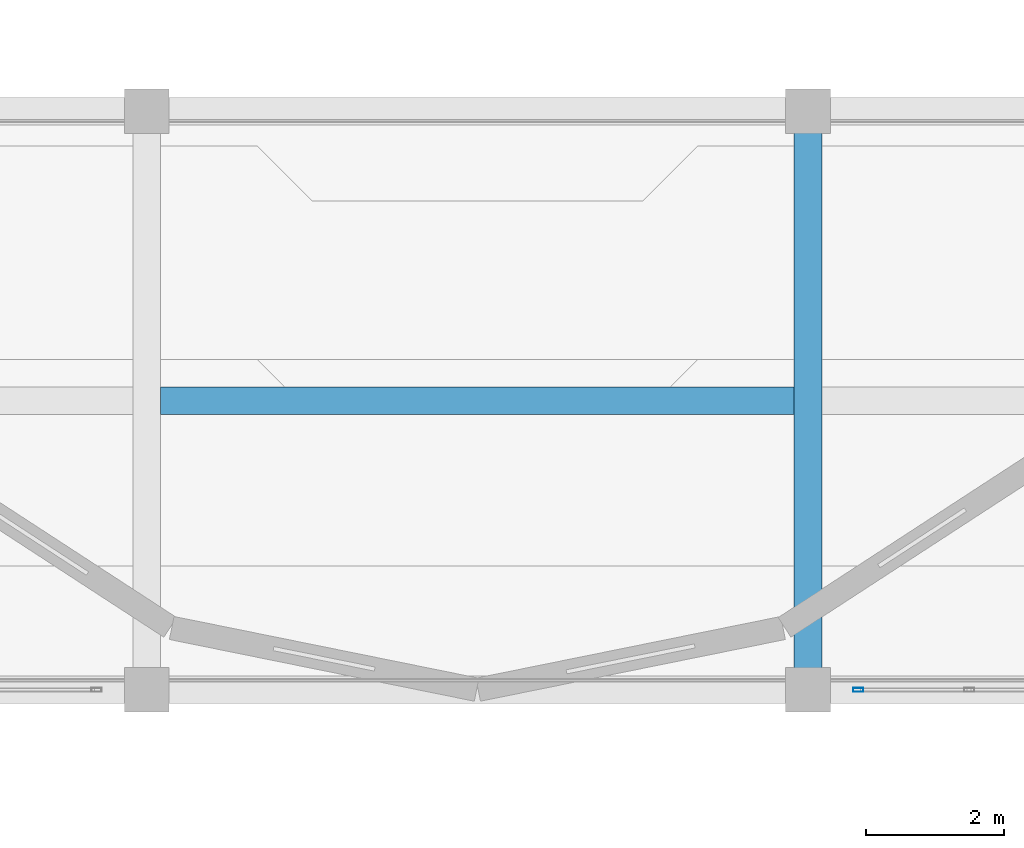
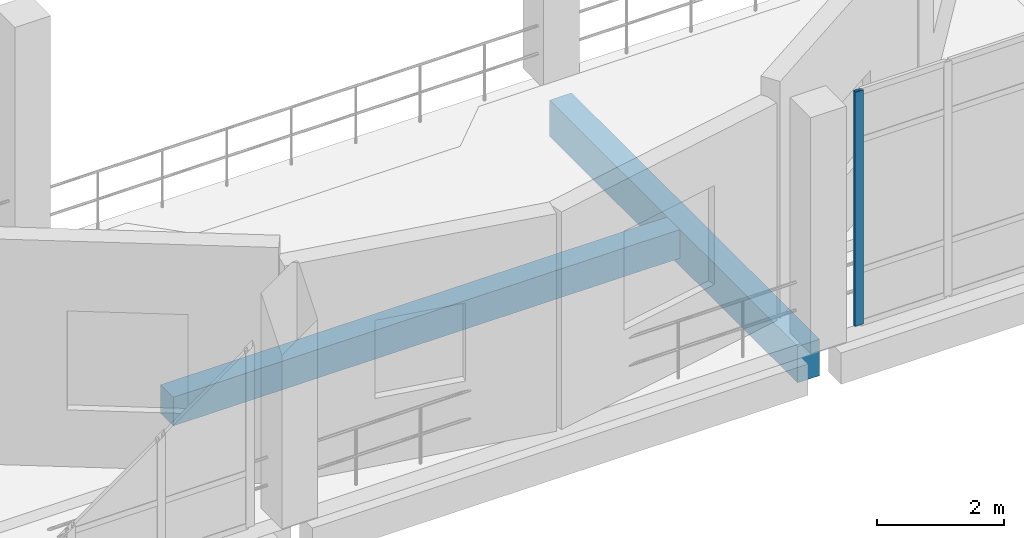
# One storey, part 36 of 88: 2 beams, 1 member, 1 element without a shape of its own.
"""IFC4 building model written with IfcOpenShell, lengths in metres."""

from ifc_helpers import new_model, si_unit, direction, frame, origin, origin_2d, place, context, subcontext, project, spatial, rectangle, hollow_rectangle, extrude, material, layer, layer_set, material_profile, profile_set, type_object, element, aggregate, save


model = new_model("IFC4")

# Units and contexts
model_context = context("Model", 3, precision=1e-05, world=origin(), true_north=direction((0.0, 1.0)))
body_context = subcontext(model_context, "Body", "Model", "MODEL_VIEW")
ifc_project = project(units=[si_unit("LENGTHUNIT", "METRE"), si_unit("AREAUNIT", "SQUARE_METRE"), si_unit("VOLUMEUNIT", "CUBIC_METRE"), si_unit("PLANEANGLEUNIT", "RADIAN"), si_unit("MASSUNIT", "GRAM", prefix="KILO")], contexts=[model_context])

# Site, building, storey
site_placement = place(None, origin())
site = spatial("IfcSite", under=ifc_project, at=site_placement, CompositionType="ELEMENT")
building_placement = place(site_placement, origin())
building = spatial("IfcBuilding", under=site, at=building_placement, Name="Lornevale Opera House", CompositionType="ELEMENT")
storey_placement = place(building_placement, frame((0.0, 0.0, 10.199951171875)))
storey = spatial("IfcBuildingStorey", under=building, at=storey_placement, Name="L03", CompositionType="ELEMENT", Elevation=10.199951171875)

# Beams
ifc_material_1 = material(Name="Concrete 35 MPa (CSA A23.1 N)", Category="concrete")
ifc_material_profile_1 = material_profile(ifc_material_1, rectangle(XDim=0.39990234375, YDim=0.550048828125, at=origin_2d()), Name="RC400x550")
ifc_profile_set_1 = profile_set([ifc_material_profile_1], Name="Concrete 35 MPa (CSA A23.1 N)")
beam_type_1 = type_object("IfcBeamType", Name="Auditorium Tier Raker Beam 400x550", PredefinedType="JOIST", material=ifc_profile_set_1)
beam_1_placement = place(storey_placement, frame((77.0, 37.800048828125, -0.554931640625), z_axis=(1.0, 0.0, 0.0), x_axis=(0.0, 1.0, 0.0)))
element("IfcBeam", 1, at=beam_1_placement, inside=storey, type_object=beam_type_1, Name="Auditorium Tier Raker Beam 400x550 2413", PredefinedType="JOIST", context=body_context, shape_type="SweptSolid", body=[
    extrude(rectangle(XDim=0.39990234375, YDim=0.550048828125, at=origin_2d()), origin(), (0.0, 0.0, 1.0), 9.199951171875),
])
ifc_material_profile_2 = material_profile(ifc_material_1, rectangle(XDim=0.39990234375, YDim=0.699951171875, at=origin_2d()), Name="RC400x700")
ifc_profile_set_2 = profile_set([ifc_material_profile_2], Name="Concrete 35 MPa (CSA A23.1 N)")
beam_type_2 = type_object("IfcBeamType", Name="Concrete Floor Beam 400x700", PredefinedType="USERDEFINED", material=ifc_profile_set_2)
beam_2_placement = place(storey_placement, frame((86.39990234375, 33.89990234375, -0.6298828125), z_axis=(0.0, 1.0, 0.0), x_axis=(-1.0, 0.0, 0.0)))
element("IfcBeam", 2, at=beam_2_placement, inside=storey, type_object=beam_type_2, Name="Concrete Floor Beam 400x700 2299", ObjectType="GIRDER", PredefinedType="USERDEFINED", context=body_context, shape_type="SweptSolid", body=[
    extrude(rectangle(XDim=0.39990234375, YDim=0.699951171875, at=origin_2d()), origin(), (0.0, 0.0, 1.0), 7.800048828125),
])

# Curtain wall, member
ifc_material_2 = material(Name="Anodized Oxide-Green Aluminium Framing", Category="aluminium")
ifc_layer = layer(ifc_material_2, 0.14990234375)
ifc_layer_set = layer_set([ifc_layer], Name="Anodized Oxide-Green Aluminium Framing")
curtain_wall_type = type_object("IfcCurtainWallType", Name="North-Light Clerestory Curtain Wall M1600", PredefinedType="NOTDEFINED", material=ifc_layer_set)
curtain_wall_placement = place(storey_placement, origin())
curtain_wall = element("IfcCurtainWall", 3, at=curtain_wall_placement, inside=storey, type_object=curtain_wall_type, Name="North-Light Clerestory Curtain Wall M1600 CW-182", PredefinedType="NOTDEFINED")
ifc_material_profile_3 = material_profile(ifc_material_2, hollow_rectangle(XDim=0.06005859375, YDim=0.14990234375, WallThickness=0.00390625, at=origin_2d()), Name="ALU60x150x4")
ifc_profile_set_3 = profile_set([ifc_material_profile_3], Name="Anodized Oxide-Green Aluminium Framing")
member_type = type_object("IfcMemberType", Name="Curtain Wall Mullion 60x150", PredefinedType="MULLION", material=ifc_profile_set_3)
member_placement = place(storey_placement, frame((87.1298828125, 33.60009765625, 0.0), z_axis=(0.0, 0.0, 1.0), x_axis=(0.0, 1.0, 0.0)))
member = element("IfcMember", 4, at=member_placement, type_object=member_type, Name="Curtain Wall Mullion 60x150 CW3846", PredefinedType="MULLION", context=body_context, shape_type="SweptSolid", body=[
    extrude(hollow_rectangle(XDim=0.06005859375, YDim=0.14990234375, WallThickness=0.00390625, at=origin_2d()), origin(), (0.0, 0.0, 1.0), 4.5),
])
aggregate(curtain_wall, [member])

save(model, "model.ifc")
